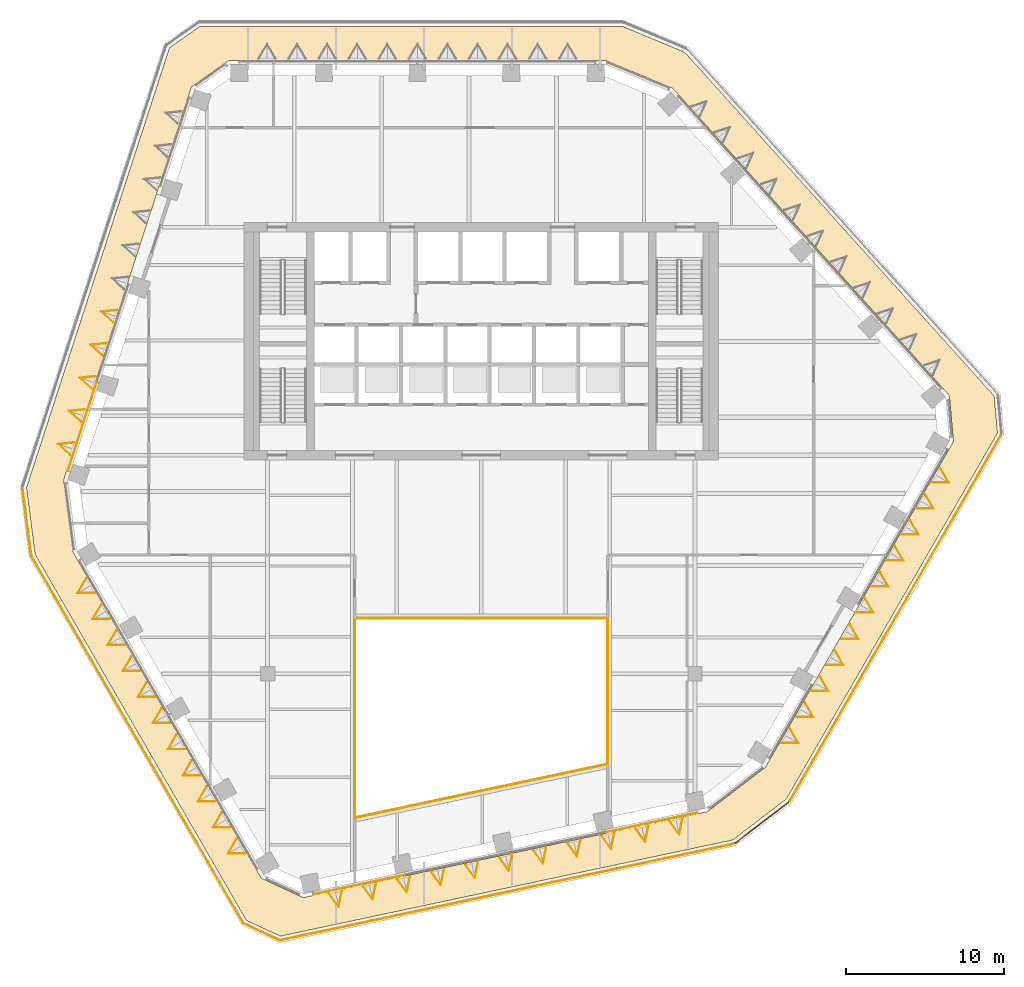
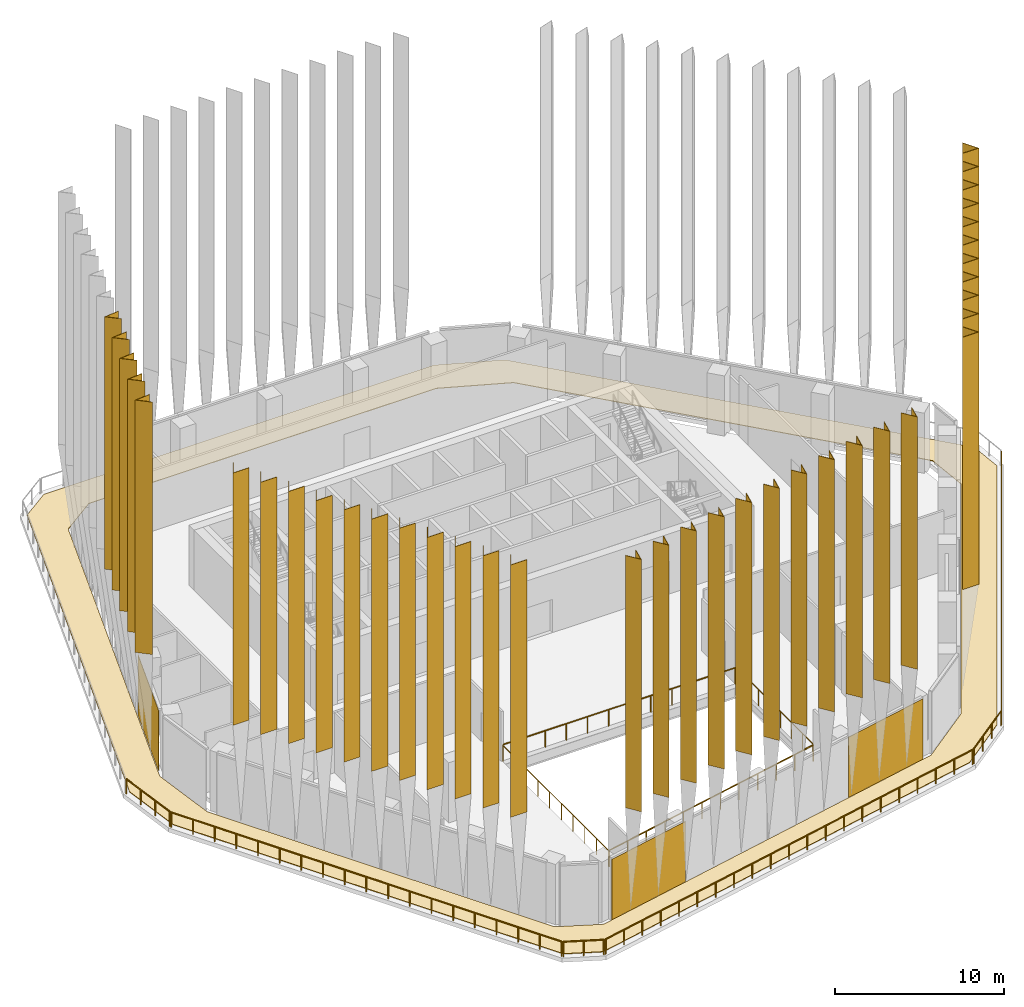
# One storey, part 13 of 21: 42 coverings, 10 railings, 2 elements without a shape of their own.
"""IFC4 building model written with IfcOpenShell, lengths in metres."""

import ifcopenshell
import ifcopenshell.guid

model = None  # the IFC model being written
_history = None  # IfcOwnerHistory: only IFC2X3 demands one
_inside = {}  # id of a spatial element -> (the spatial element, [elements in it])
_under = {}  # id of a project, library or spatial element -> (it, [spatial elements below it])
_declared = {}  # id of a project -> (the project, [libraries it declares])
_typed = {}  # id of a type object -> (the type object, [elements of that type])
_made_of = {}  # id of a material, layer set ... -> (it, [elements and type objects made of it])


def new_model(schema):
    """Start an empty IFC model of exactly this schema.

    Asked for "IFC4X3", IfcOpenShell would pick the latest addendum, in which some entities
    have other attributes; the version numbers below select the first issue.
    IFC2X3 requires an IfcOwnerHistory on every rooted entity: one is made here for all.
    """
    global model, _history
    if schema == "IFC4X3":
        model = ifcopenshell.file(schema_version=(4, 3, 0, 0))
    else:
        model = ifcopenshell.file(schema=schema)
    _inside.clear()
    _under.clear()
    _declared.clear()
    _typed.clear()
    _made_of.clear()
    _history = None
    if model.schema == "IFC2X3":
        org = make("IfcOrganization", Name="unknown")
        user = make(
            "IfcPersonAndOrganization",
            ThePerson=make("IfcPerson", FamilyName="unknown"),
            TheOrganization=org,
        )
        app = make(
            "IfcApplication",
            ApplicationDeveloper=org,
            Version="unknown",
            ApplicationFullName="unknown",
            ApplicationIdentifier="unknown",
        )
        _history = make(
            "IfcOwnerHistory",
            OwningUser=user,
            OwningApplication=app,
            ChangeAction="ADDED",
            CreationDate=0,
        )
    return model


def make(cls, **values):
    """One entity of the class cls with the attributes given. An attribute that is None is left unset."""
    return model.create_entity(
        cls, **{name: value for name, value in values.items() if value is not None}
    )


def rooted(cls, **values):
    """An entity with a GlobalId (a new one), such as an element, a storey or a relation."""
    return make(cls, GlobalId=ifcopenshell.guid.new(), OwnerHistory=_history, **values)


def si_unit(unit_type, name, prefix=None):
    """IfcSIUnit, for example si_unit("LENGTHUNIT", "METRE", prefix="MILLI")."""
    return make("IfcSIUnit", UnitType=unit_type, Prefix=prefix, Name=name)


def assignment(units):
    """IfcUnitAssignment: the units of a project."""
    return None if units is None else make("IfcUnitAssignment", Units=units)


def point(xyz):
    """IfcCartesianPoint."""
    return None if xyz is None else make("IfcCartesianPoint", Coordinates=xyz)


def direction(xyz):
    """IfcDirection."""
    return None if xyz is None else make("IfcDirection", DirectionRatios=xyz)


def frame(location, z_axis=None, x_axis=None):
    """IfcAxis2Placement3D, a coordinate frame: its origin and axes. An axis left out is left unset."""
    return make(
        "IfcAxis2Placement3D",
        Location=point(location),
        Axis=direction(z_axis),
        RefDirection=direction(x_axis),
    )


def frame_2d(location, x_axis=None):
    """IfcAxis2Placement2D, a coordinate frame in the plane: its origin and x axis."""
    return make(
        "IfcAxis2Placement2D", Location=point(location), RefDirection=direction(x_axis)
    )


def origin():
    """The frame at (0, 0, 0) with its axes left unset."""
    return frame((0.0, 0.0, 0.0))


def origin_2d():
    """The frame at (0, 0) in the plane with its x axis left unset."""
    return frame_2d((0.0, 0.0))


def place(relative_to, where):
    """IfcLocalPlacement: puts the frame where relative to a parent placement (None: the world)."""
    return make(
        "IfcLocalPlacement", PlacementRelTo=relative_to, RelativePlacement=where
    )


def context(
    kind, dimensions, precision=None, world=None, true_north=None, identifier=None
):
    """IfcGeometricRepresentationContext, for example the 3D "Model" context."""
    return make(
        "IfcGeometricRepresentationContext",
        ContextIdentifier=identifier,
        ContextType=kind,
        CoordinateSpaceDimension=dimensions,
        Precision=precision,
        WorldCoordinateSystem=world,
        TrueNorth=true_north,
    )


def subcontext(parent, identifier, kind, view, scale=None):
    """IfcGeometricRepresentationSubContext, for example "Body" below "Model"."""
    return make(
        "IfcGeometricRepresentationSubContext",
        ContextIdentifier=identifier,
        ContextType=kind,
        ParentContext=parent,
        TargetScale=scale,
        TargetView=view,
    )


def project(units=None, contexts=None):
    """IfcProject with its units and contexts."""
    return rooted(
        "IfcProject",
        Name="project",
        RepresentationContexts=contexts,
        UnitsInContext=assignment(units),
    )


def spatial(cls, under=None, at=None, **own):
    """A site, building, storey or space (cls), placed at a placement, below another one or the project."""
    s = rooted(cls, ObjectPlacement=at, **own)
    if under is not None:
        _under.setdefault(under.id(), (under, []))[1].append(s)
    return s


def polyline(points):
    """IfcPolyline through the points."""
    return make("IfcPolyline", Points=[point(p) for p in points])


def profile(cls, at=None, kind="AREA", **sizes):
    """A parametric profile (cls). Its sizes go by their IFC names, for example OverallWidth=200.0."""
    return make(cls, ProfileType=kind, Position=at, **sizes)


def rectangle(**sizes):
    """IfcRectangleProfileDef."""
    return profile("IfcRectangleProfileDef", **sizes)


def circle(**sizes):
    """IfcCircleProfileDef."""
    return profile("IfcCircleProfileDef", **sizes)


def outline(outer, holes=None, kind="AREA"):
    """IfcArbitraryClosedProfileDef: a profile drawn as a closed curve; with holes, ...WithVoids."""
    if holes is None:
        return make("IfcArbitraryClosedProfileDef", ProfileType=kind, OuterCurve=outer)
    return make(
        "IfcArbitraryProfileDefWithVoids",
        ProfileType=kind,
        OuterCurve=outer,
        InnerCurves=holes,
    )


def extrude(swept, where, along, depth):
    """IfcExtrudedAreaSolid: the profile swept, set in the frame where, extruded along a direction by depth."""
    return make(
        "IfcExtrudedAreaSolid",
        SweptArea=swept,
        Position=where,
        ExtrudedDirection=direction(along),
        Depth=depth,
    )


def shape(context_of_items, identifier, shape_type, items):
    """IfcShapeRepresentation: the items that make up one representation, for example the "Body"."""
    return make(
        "IfcShapeRepresentation",
        ContextOfItems=context_of_items,
        RepresentationIdentifier=identifier,
        RepresentationType=shape_type,
        Items=items,
    )


def material(Name=None, Category=None):
    """IfcMaterial."""
    return make("IfcMaterial", Name=Name, Category=Category)


def layer(
    of_material, thickness, ventilated=None, Name=None, Category=None, Priority=None
):
    """IfcMaterialLayer: one layer of a wall or slab, of a material (None: an air gap)."""
    return make(
        "IfcMaterialLayer",
        Material=of_material,
        LayerThickness=thickness,
        IsVentilated=ventilated,
        Name=Name,
        Category=Category,
        Priority=Priority,
    )


def layer_set(layers, Name=None):
    """IfcMaterialLayerSet."""
    return make("IfcMaterialLayerSet", MaterialLayers=layers, LayerSetName=Name)


def material_profile(
    of_material, cross_section, Name=None, Category=None, Priority=None
):
    """IfcMaterialProfile: a cross section and its material."""
    return make(
        "IfcMaterialProfile",
        Name=Name,
        Material=of_material,
        Profile=cross_section,
        Priority=Priority,
        Category=Category,
    )


def profile_set(profiles, Name=None, composite=None):
    """IfcMaterialProfileSet."""
    return make(
        "IfcMaterialProfileSet",
        Name=Name,
        MaterialProfiles=profiles,
        CompositeProfile=composite,
    )


def made_of(thing, what):
    """Note that an element or type object is made of a material, layer set ...; save() writes the relation."""
    if what is not None:
        _made_of.setdefault(what.id(), (what, []))[1].append(thing)
    return thing


def type_object(cls, material=None, **own):
    """A type object (cls), such as IfcWallType, which elements share."""
    return made_of(rooted(cls, **own), material)


def element(
    cls,
    number,
    at=None,
    inside=None,
    cuts=None,
    type_object=None,
    material=None,
    context=None,
    identifier="Body",
    shape_type=None,
    held_by="IfcProductDefinitionShape",
    body=None,
    shapes=None,
    **own,
):
    """One element of the class cls, such as IfcWall. Its Tag is "e" and its number.

    at: its placement. inside: the storey or other place that contains it. cuts: it is an
    opening in that element (IfcRelVoidsElement). A single representation is given by context,
    identifier, shape_type and body (its items); several are given by shapes. held_by: the class
    of the entity that holds the representations. save() writes the other relations.
    """
    e = rooted(cls, Tag="e%d" % number, ObjectPlacement=at, **own)
    if body is not None:
        shapes = [shape(context, identifier, shape_type, body)]
    if shapes is not None:
        e.Representation = make(held_by, Representations=shapes)
    if inside is not None:
        _inside.setdefault(inside.id(), (inside, []))[1].append(e)
    if cuts is not None:
        rooted(
            "IfcRelVoidsElement", RelatingBuildingElement=cuts, RelatedOpeningElement=e
        )
    if type_object is not None:
        _typed.setdefault(type_object.id(), (type_object, []))[1].append(e)
    return made_of(e, material)


def aggregate(whole, parts):
    """IfcRelAggregates: a whole, such as a stair, and the parts it consists of."""
    return rooted("IfcRelAggregates", RelatingObject=whole, RelatedObjects=parts)


def save(model, path):
    """Write the relations noted so far, then the file.

    IfcRelAggregates (storeys below a building ...), IfcRelContainedInSpatialStructure (elements
    in a storey), IfcRelDefinesByType, IfcRelAssociatesMaterial and IfcRelDeclares: one each for
    every whole, place, type object, material and project.
    """
    for whole, parts in _under.values():
        aggregate(whole, parts)
    for where, things in _inside.values():
        rooted(
            "IfcRelContainedInSpatialStructure",
            RelatedElements=things,
            RelatingStructure=where,
        )
    for kind, things in _typed.values():
        rooted("IfcRelDefinesByType", RelatedObjects=things, RelatingType=kind)
    for what, things in _made_of.values():
        rooted("IfcRelAssociatesMaterial", RelatedObjects=things, RelatingMaterial=what)
    for by, libraries in _declared.values():
        rooted("IfcRelDeclares", RelatingContext=by, RelatedDefinitions=libraries)
    model.write(path)


model = new_model("IFC4")

# Units and contexts
model_context = context("Model", 3, precision=1e-05, world=origin(), true_north=direction((0.0, 1.0)))
body_context = subcontext(model_context, "Body", "Model", "MODEL_VIEW")
ifc_project = project(units=[si_unit("LENGTHUNIT", "METRE"), si_unit("AREAUNIT", "SQUARE_METRE"), si_unit("VOLUMEUNIT", "CUBIC_METRE"), si_unit("PLANEANGLEUNIT", "RADIAN"), si_unit("MASSUNIT", "GRAM", prefix="KILO")], contexts=[model_context])

# Site, building, storey
site_placement = place(None, origin())
site = spatial("IfcSite", under=ifc_project, at=site_placement, CompositionType="ELEMENT")
building_placement = place(site_placement, origin())
building = spatial("IfcBuilding", under=site, at=building_placement, Name="Isthmus Gate Tower", CompositionType="ELEMENT")
storey_placement = place(building_placement, frame((0.0, 0.0, 211.800048828125)))
storey = spatial("IfcBuildingStorey", under=building, at=storey_placement, Name="L53", CompositionType="ELEMENT", Elevation=211.800048828125)

# Railings
ifc_material_1 = material(Name="Toughened laminated glass with stainless steel handrail", Category="steel")
railing_type_1 = type_object("IfcRailingType", Name="Atrium glass guard 1200", PredefinedType="GUARDRAIL", material=ifc_material_1)
railing_1_placement = place(storey_placement, frame((-7.951171875, -22.6005859375, 0.0)))
element("IfcRailing", 1, at=railing_1_placement, inside=storey, type_object=railing_type_1, Name="L53 atrium glass guard 1", PredefinedType="GUARDRAIL", context=body_context, shape_type="SweptSolid", body=[
    extrude(circle(Radius=0.030029296875, at=origin_2d()), frame((0.0, 0.0, 1.169921875), z_axis=(0.978150911752, 0.207896113091, 0.0), x_axis=(-0.207896113091, 0.978150911752, 0.0)), (0.0, 0.0, 1.0), 16.257568359375),
    extrude(circle(Radius=0.02490234375, at=origin_2d()), origin(), (0.0, 0.0, 1.0), 1.139892578125),
    extrude(circle(Radius=0.02490234375, at=origin_2d()), frame((1.445556640625, 0.307373046875, 0.0)), (0.0, 0.0, 1.0), 1.139892578125),
    extrude(circle(Radius=0.02490234375, at=origin_2d()), frame((2.891357421875, 0.614501953125, 0.0)), (0.0, 0.0, 1.0), 1.139892578125),
    extrude(circle(Radius=0.02490234375, at=origin_2d()), frame((4.3369140625, 0.921875, 0.0)), (0.0, 0.0, 1.0), 1.139892578125),
    extrude(circle(Radius=0.02490234375, at=origin_2d()), frame((5.78271484375, 1.22900390625, 0.0)), (0.0, 0.0, 1.0), 1.139892578125),
    extrude(circle(Radius=0.02490234375, at=origin_2d()), frame((7.228271484375, 1.536376953125, 0.0)), (0.0, 0.0, 1.0), 1.139892578125),
    extrude(circle(Radius=0.02490234375, at=origin_2d()), frame((8.674072265625, 1.843505859375, 0.0)), (0.0, 0.0, 1.0), 1.139892578125),
    extrude(circle(Radius=0.02490234375, at=origin_2d()), frame((10.11962890625, 2.15087890625, 0.0)), (0.0, 0.0, 1.0), 1.139892578125),
    extrude(circle(Radius=0.02490234375, at=origin_2d()), frame((11.5654296875, 2.4580078125, 0.0)), (0.0, 0.0, 1.0), 1.139892578125),
    extrude(circle(Radius=0.02490234375, at=origin_2d()), frame((13.010986328125, 2.765380859375, 0.0)), (0.0, 0.0, 1.0), 1.139892578125),
    extrude(circle(Radius=0.02490234375, at=origin_2d()), frame((14.456787109375, 3.072509765625, 0.0)), (0.0, 0.0, 1.0), 1.139892578125),
    extrude(circle(Radius=0.02490234375, at=origin_2d()), frame((15.90234375, 3.3798828125, 0.0)), (0.0, 0.0, 1.0), 1.139892578125),
])
railing_2_placement = place(storey_placement, frame((8.0, -19.16015625, 0.0)))
element("IfcRailing", 2, at=railing_2_placement, inside=storey, type_object=railing_type_1, Name="L53 atrium glass guard 2", PredefinedType="GUARDRAIL", context=body_context, shape_type="SweptSolid", body=[
    extrude(circle(Radius=0.030029296875, at=origin_2d()), frame((0.0, 0.0, 1.169921875), z_axis=(0.0, 1.0, 0.0), x_axis=(-1.0, 0.0, 0.0)), (0.0, 0.0, 1.0), 9.110107421875),
    extrude(circle(Radius=0.02490234375, at=origin_2d()), origin(), (0.0, 0.0, 1.0), 1.139892578125),
    extrude(circle(Radius=0.02490234375, at=origin_2d()), frame((0.0, 1.301513671875, 0.0)), (0.0, 0.0, 1.0), 1.139892578125),
    extrude(circle(Radius=0.02490234375, at=origin_2d()), frame((0.0, 2.602783203125, 0.0)), (0.0, 0.0, 1.0), 1.139892578125),
    extrude(circle(Radius=0.02490234375, at=origin_2d()), frame((0.0, 3.904296875, 0.0)), (0.0, 0.0, 1.0), 1.139892578125),
    extrude(circle(Radius=0.02490234375, at=origin_2d()), frame((0.0, 5.205810546875, 0.0)), (0.0, 0.0, 1.0), 1.139892578125),
    extrude(circle(Radius=0.02490234375, at=origin_2d()), frame((0.0, 6.50732421875, 0.0)), (0.0, 0.0, 1.0), 1.139892578125),
    extrude(circle(Radius=0.02490234375, at=origin_2d()), frame((0.0, 7.80859375, 0.0)), (0.0, 0.0, 1.0), 1.139892578125),
    extrude(circle(Radius=0.02490234375, at=origin_2d()), frame((0.0, 9.110107421875, 0.0)), (0.0, 0.0, 1.0), 1.139892578125),
])
railing_3_placement = place(storey_placement, frame((7.949951171875, -10.0, 0.0)))
element("IfcRailing", 3, at=railing_3_placement, inside=storey, type_object=railing_type_1, Name="L53 atrium glass guard 3", PredefinedType="GUARDRAIL", context=body_context, shape_type="SweptSolid", body=[
    extrude(circle(Radius=0.030029296875, at=origin_2d()), frame((0.0, 0.0, 1.169921875), z_axis=(-1.0, 0.0, 0.0), x_axis=(0.0, -1.0, 0.0)), (0.0, 0.0, 1.0), 15.89990234375),
    extrude(circle(Radius=0.02490234375, at=origin_2d()), origin(), (0.0, 0.0, 1.0), 1.139892578125),
    extrude(circle(Radius=0.02490234375, at=origin_2d()), frame((-1.445556640625, 0.0, 0.0)), (0.0, 0.0, 1.0), 1.139892578125),
    extrude(circle(Radius=0.02490234375, at=origin_2d()), frame((-2.890869140625, 0.0, 0.0)), (0.0, 0.0, 1.0), 1.139892578125),
    extrude(circle(Radius=0.02490234375, at=origin_2d()), frame((-4.33642578125, 0.0, 0.0)), (0.0, 0.0, 1.0), 1.139892578125),
    extrude(circle(Radius=0.02490234375, at=origin_2d()), frame((-5.78173828125, 0.0, 0.0)), (0.0, 0.0, 1.0), 1.139892578125),
    extrude(circle(Radius=0.02490234375, at=origin_2d()), frame((-7.227294921875, 0.0, 0.0)), (0.0, 0.0, 1.0), 1.139892578125),
    extrude(circle(Radius=0.02490234375, at=origin_2d()), frame((-8.672607421875, 0.0, 0.0)), (0.0, 0.0, 1.0), 1.139892578125),
    extrude(circle(Radius=0.02490234375, at=origin_2d()), frame((-10.1181640625, 0.0, 0.0)), (0.0, 0.0, 1.0), 1.139892578125),
    extrude(circle(Radius=0.02490234375, at=origin_2d()), frame((-11.5634765625, 0.0, 0.0)), (0.0, 0.0, 1.0), 1.139892578125),
    extrude(circle(Radius=0.02490234375, at=origin_2d()), frame((-13.009033203125, 0.0, 0.0)), (0.0, 0.0, 1.0), 1.139892578125),
    extrude(circle(Radius=0.02490234375, at=origin_2d()), frame((-14.454345703125, 0.0, 0.0)), (0.0, 0.0, 1.0), 1.139892578125),
    extrude(circle(Radius=0.02490234375, at=origin_2d()), frame((-15.89990234375, 0.0, 0.0)), (0.0, 0.0, 1.0), 1.139892578125),
])
railing_4_placement = place(storey_placement, frame((-8.0, -10.050048828125, 0.0)))
element("IfcRailing", 4, at=railing_4_placement, inside=storey, type_object=railing_type_1, Name="L53 atrium glass guard 4", PredefinedType="GUARDRAIL", context=body_context, shape_type="SweptSolid", body=[
    extrude(circle(Radius=0.030029296875, at=origin_2d()), frame((0.0, 0.0, 1.169921875), z_axis=(0.0, -1.0, 0.0), x_axis=(1.0, 0.0, 0.0)), (0.0, 0.0, 1.0), 12.510986328125),
    extrude(circle(Radius=0.02490234375, at=origin_2d()), origin(), (0.0, 0.0, 1.0), 1.139892578125),
    extrude(circle(Radius=0.02490234375, at=origin_2d()), frame((0.0, -1.39013671875, 0.0)), (0.0, 0.0, 1.0), 1.139892578125),
    extrude(circle(Radius=0.02490234375, at=origin_2d()), frame((0.0, -2.7802734375, 0.0)), (0.0, 0.0, 1.0), 1.139892578125),
    extrude(circle(Radius=0.02490234375, at=origin_2d()), frame((0.0, -4.17041015625, 0.0)), (0.0, 0.0, 1.0), 1.139892578125),
    extrude(circle(Radius=0.02490234375, at=origin_2d()), frame((0.0, -5.560546875, 0.0)), (0.0, 0.0, 1.0), 1.139892578125),
    extrude(circle(Radius=0.02490234375, at=origin_2d()), frame((0.0, -6.950439453125, 0.0)), (0.0, 0.0, 1.0), 1.139892578125),
    extrude(circle(Radius=0.02490234375, at=origin_2d()), frame((0.0, -8.340576171875, 0.0)), (0.0, 0.0, 1.0), 1.139892578125),
    extrude(circle(Radius=0.02490234375, at=origin_2d()), frame((0.0, -9.730712890625, 0.0)), (0.0, 0.0, 1.0), 1.139892578125),
    extrude(circle(Radius=0.02490234375, at=origin_2d()), frame((0.0, -11.120849609375, 0.0)), (0.0, 0.0, 1.0), 1.139892578125),
    extrude(circle(Radius=0.02490234375, at=origin_2d()), frame((0.0, -12.510986328125, 0.0)), (0.0, 0.0, 1.0), 1.139892578125),
])

# Curtain wall, covering
ifc_material_2 = material(Name="Aluminium, pale champagne anodised", Category="aluminium")
ifc_layer_1 = layer(ifc_material_2, 0.199951171875)
ifc_layer_set_1 = layer_set([ifc_layer_1], Name="CW-1 UNITISED CURTAIN WALL 200 DEEP")
curtain_wall_type = type_object("IfcCurtainWallType", Name="CW-1 UNITISED CURTAIN WALL 200 DEEP", PredefinedType="NOTDEFINED", material=ifc_layer_set_1)
curtain_wall_1_placement = place(storey_placement, origin())
curtain_wall_1 = element("IfcCurtainWall", 5, at=curtain_wall_1_placement, inside=storey, type_object=curtain_wall_type, Name="CW-1 NW L53", PredefinedType="NOTDEFINED")
ifc_material_3 = material(Name="Aluminium composite panel, pale champagne anodised", Category="aluminium")
ifc_layer_2 = layer(ifc_material_3, 0.031982421875)
ifc_layer_set_2 = layer_set([ifc_layer_2], Name="CW-1 PALE METAL PANEL 32")
covering_type_1 = type_object("IfcCoveringType", Name="CW-1 PALE METAL PANEL 32", PredefinedType="CLADDING", material=ifc_layer_set_2)
covering_1_placement = place(storey_placement, frame((-25.224853515625, 2.09521484375, 0.0), z_axis=(0.0, 0.0, 1.0), x_axis=(-0.309016994375, -0.951056516295, 0.0)))
covering_1 = element("IfcCovering", 6, at=covering_1_placement, type_object=covering_type_1, Name="CW-1 pale metal panel", PredefinedType="CLADDING", context=body_context, shape_type="SweptSolid", body=[
    extrude(rectangle(XDim=5.8818359375, YDim=0.031982421875, at=origin_2d()), origin(), (0.0, 0.0, 1.0), 4.3701171875),
])
aggregate(curtain_wall_1, [covering_1])

# Curtain wall, coverings
curtain_wall_2_placement = place(storey_placement, origin())
curtain_wall_2 = element("IfcCurtainWall", 7, at=curtain_wall_2_placement, inside=storey, type_object=curtain_wall_type, Name="CW-1 S L53", PredefinedType="NOTDEFINED")
covering_2_placement = place(storey_placement, frame((-7.71435546875, -26.827880859375, 0.0), z_axis=(0.0, 0.0, 1.0), x_axis=(0.978147600734, 0.207911690818, 0.0)))
covering_2 = element("IfcCovering", 8, at=covering_2_placement, type_object=covering_type_1, Name="CW-1 pale metal panel", PredefinedType="CLADDING", context=body_context, shape_type="SweptSolid", body=[
    extrude(rectangle(XDim=5.8818359375, YDim=0.031982421875, at=origin_2d()), origin(), (0.0, 0.0, 1.0), 4.3701171875),
])
covering_3_placement = place(storey_placement, frame((10.7685546875, -22.899169921875, 0.0), z_axis=(0.0, 0.0, 1.0), x_axis=(0.978147600734, 0.207911690818, 0.0)))
covering_3 = element("IfcCovering", 9, at=covering_3_placement, type_object=covering_type_1, Name="CW-1 pale metal panel", PredefinedType="CLADDING", context=body_context, shape_type="SweptSolid", body=[
    extrude(rectangle(XDim=5.94189453125, YDim=0.031982421875, at=origin_2d()), origin(), (0.0, 0.0, 1.0), 4.3701171875),
])
aggregate(curtain_wall_2, [covering_2, covering_3])

# Coverings
ifc_material_4 = material(Name="Structural steel ASTM A572 Gr 50, white paint system", Category="steel")
ifc_material_profile_1 = material_profile(ifc_material_4, outline(polyline([(0.0, -0.427490234375), (0.9599609375, 0.0), (0.0, 0.427490234375), (0.0, 0.39453125), (0.88623046875, 0.0), (0.0, -0.39453125), (0.0, -0.427490234375)])), Name="V960")
ifc_profile_set_1 = profile_set([ifc_material_profile_1], Name="Structural steel ASTM A572 Gr 50, white paint system")
covering_type_2 = type_object("IfcCoveringType", Name="FIN V 960 DEEP", PredefinedType="CLADDING", material=ifc_profile_set_1)
for number, where, z_axis, x_axis, name in (
    (10, (-23.129150390625, 9.08251953125, 7.75), (0.0, 0.0, 1.0), (-0.951056516295, 0.309016994375, 0.0), "FIN"),
    (11, (-23.808837890625, 6.990234375, 7.75), (0.0, 0.0, 1.0), (-0.951056516295, 0.309016994375, 0.0), "FIN"),
    (12, (-24.48876953125, 4.89794921875, 7.75), (0.0, 0.0, 1.0), (-0.951056516295, 0.309016994375, 0.0), "FIN"),
    (13, (-25.16845703125, 2.805419921875, 7.75), (0.0, 0.0, 1.0), (-0.951056516295, 0.309016994375, 0.0), "FIN"),
    (14, (-25.848388671875, 0.713134765625, 7.75), (0.0, 0.0, 1.0), (-0.951056516295, 0.309016994375, 0.0), "FIN"),
    (15, (-9.212646484375, -27.31591796875, 7.75), (0.0, 0.0, 1.0), (0.207911690818, -0.978147600734, 0.0), "FIN"),
    (16, (-7.060791015625, -26.858642578125, 7.75), (0.0, 0.0, 1.0), (0.207911690818, -0.978147600734, 0.0), "FIN"),
    (17, (-4.908935546875, -26.401123046875, 7.75), (0.0, 0.0, 1.0), (0.207911690818, -0.978147600734, 0.0), "FIN"),
    (18, (-2.7568359375, -25.94384765625, 7.75), (0.0, 0.0, 1.0), (0.207911690818, -0.978147600734, 0.0), "FIN"),
    (19, (-0.60498046875, -25.486328125, 7.75), (0.0, 0.0, 1.0), (0.207911690818, -0.978147600734, 0.0), "FIN"),
    (20, (1.546875, -25.029052734375, 7.75), (0.0, 0.0, 1.0), (0.207911690818, -0.978147600734, 0.0), "FIN"),
    (21, (3.698974609375, -24.571533203125, 7.75), (0.0, 0.0, 1.0), (0.207911690818, -0.978147600734, 0.0), "FIN"),
    (22, (5.850830078125, -24.1142578125, 7.75), (0.0, 0.0, 1.0), (0.207911690818, -0.978147600734, 0.0), "FIN"),
    (23, (8.002685546875, -23.65673828125, 7.75), (0.0, 0.0, 1.0), (0.207911690818, -0.978147600734, 0.0), "FIN"),
    (24, (10.154541015625, -23.199462890625, 7.75), (0.0, 0.0, 1.0), (0.207911690818, -0.978147600734, 0.0), "FIN"),
    (25, (12.306640625, -22.741943359375, 7.75), (0.0, 0.0, 1.0), (0.207911690818, -0.978147600734, 0.0), "FIN"),
):
    element("IfcCovering", number, at=place(storey_placement, frame(where, z_axis=z_axis, x_axis=x_axis)), inside=storey, type_object=covering_type_2, Name=name, ObjectType="FIN", PredefinedType="CLADDING", context=body_context, shape_type="SweptSolid", body=[
        extrude(outline(polyline([(0.0, -0.427490234375), (0.9599609375, 0.0), (0.0, 0.427490234375), (0.0, 0.39453125), (0.88623046875, 0.0), (0.0, -0.39453125), (0.0, -0.427490234375)])), origin(), (0.0, 0.0, 1.0), 18.25),
    ])
ifc_material_5 = material(Name="Structural steel ASTM A572 Gr 50, white paint system", Category="steel")
ifc_material_profile_2 = material_profile(ifc_material_5, outline(polyline([(0.0, -0.55419921875), (0.9599609375, 0.0), (0.0, 0.55419921875), (0.0, 0.51953125), (0.89990234375, 0.0), (0.0, -0.51953125), (0.0, -0.55419921875)])), Name="V960W")
ifc_profile_set_2 = profile_set([ifc_material_profile_2], Name="Structural steel ASTM A572 Gr 50, white paint system")
covering_type_3 = type_object("IfcCoveringType", Name="FIN V 960 DEEP WIDE", PredefinedType="CLADDING", material=ifc_profile_set_2)
for number, where, z_axis, x_axis, name in (
    (26, (-24.688720703125, -7.93798828125, 7.75), (0.0, 0.0, 1.0), (-0.866025403784, -0.5, 0.0), "FIN"),
    (27, (-23.73876953125, -9.583251953125, 7.75), (0.0, 0.0, 1.0), (-0.866025403784, -0.5, 0.0), "FIN"),
    (28, (-22.788818359375, -11.228759765625, 7.75), (0.0, 0.0, 1.0), (-0.866025403784, -0.5, 0.0), "FIN"),
    (29, (-21.838623046875, -12.874267578125, 7.75), (0.0, 0.0, 1.0), (-0.866025403784, -0.5, 0.0), "FIN"),
    (30, (-20.888671875, -14.519775390625, 7.75), (0.0, 0.0, 1.0), (-0.866025403784, -0.5, 0.0), "FIN"),
    (31, (-19.938720703125, -16.1650390625, 7.75), (0.0, 0.0, 1.0), (-0.866025403784, -0.5, 0.0), "FIN"),
    (32, (-18.98876953125, -17.810546875, 7.75), (0.0, 0.0, 1.0), (-0.866025403784, -0.5, 0.0), "FIN"),
    (33, (-18.038818359375, -19.4560546875, 7.75), (0.0, 0.0, 1.0), (-0.866025403784, -0.5, 0.0), "FIN"),
    (34, (-17.088623046875, -21.1015625, 7.75), (0.0, 0.0, 1.0), (-0.866025403784, -0.5, 0.0), "FIN"),
    (35, (-16.138671875, -22.7470703125, 7.75), (0.0, 0.0, 1.0), (-0.866025403784, -0.5, 0.0), "FIN"),
    (36, (-15.188720703125, -24.392333984375, 7.75), (0.0, 0.0, 1.0), (-0.866025403784, -0.5, 0.0), "FIN"),
    (37, (19.21875, -17.412109375, 7.75), (0.0, 0.0, 1.0), (0.866025403784, -0.5, 0.0), "FIN"),
    (38, (20.168701171875, -15.7666015625, 7.75), (0.0, 0.0, 1.0), (0.866025403784, -0.5, 0.0), "FIN"),
    (39, (21.118896484375, -14.12109375, 7.75), (0.0, 0.0, 1.0), (0.866025403784, -0.5, 0.0), "FIN"),
    (40, (22.06884765625, -12.475830078125, 7.75), (0.0, 0.0, 1.0), (0.866025403784, -0.5, 0.0), "FIN"),
    (41, (23.018798828125, -10.830322265625, 7.75), (0.0, 0.0, 1.0), (0.866025403784, -0.5, 0.0), "FIN"),
    (42, (23.96875, -9.184814453125, 7.75), (0.0, 0.0, 1.0), (0.866025403784, -0.5, 0.0), "FIN"),
    (43, (24.918701171875, -7.539306640625, 7.75), (0.0, 0.0, 1.0), (0.866025403784, -0.5, 0.0), "FIN"),
    (44, (25.868896484375, -5.89404296875, 7.75), (0.0, 0.0, 1.0), (0.866025403784, -0.5, 0.0), "FIN"),
    (45, (26.81884765625, -4.24853515625, 7.75), (0.0, 0.0, 1.0), (0.866025403784, -0.5, 0.0), "FIN"),
    (46, (27.768798828125, -2.60302734375, 7.75), (0.0, 0.0, 1.0), (0.866025403784, -0.5, 0.0), "FIN"),
    (47, (28.71875, -0.95751953125, 7.75), (0.0, 0.0, 1.0), (0.866025403784, -0.5, 0.0), "FIN"),
):
    element("IfcCovering", number, at=place(storey_placement, frame(where, z_axis=z_axis, x_axis=x_axis)), inside=storey, type_object=covering_type_3, Name=name, ObjectType="FIN", PredefinedType="CLADDING", context=body_context, shape_type="SweptSolid", body=[
        extrude(outline(polyline([(0.0, -0.55419921875), (0.9599609375, 0.0), (0.0, 0.55419921875), (0.0, 0.51953125), (0.89990234375, 0.0), (0.0, -0.51953125), (0.0, -0.55419921875)])), origin(), (0.0, 0.0, 1.0), 18.25),
    ])

# Railings
ifc_material_6 = material(Name="Stainless steel posts and toughened laminated glass", Category="steel")
railing_type_2 = type_object("IfcRailingType", Name="GUARD 1100 LEDGE GLASS", PredefinedType="GUARDRAIL", material=ifc_material_6)
railing_5_placement = place(storey_placement, frame((32.84130859375, 1.58251953125, 0.0)))
element("IfcRailing", 48, at=railing_5_placement, inside=storey, type_object=railing_type_2, Name="LEDGE GUARD", PredefinedType="GUARDRAIL", context=body_context, shape_type="SweptSolid", body=[
    extrude(circle(Radius=0.02490234375, at=origin_2d()), frame((0.0, 0.0, 1.0751953125), z_axis=(-0.500007927794, -0.866020826622, 0.0), x_axis=(0.866020826622, -0.500007927794, 0.0)), (0.0, 0.0, 1.0), 26.69970703125),
    extrude(circle(Radius=0.02490234375, at=origin_2d()), origin(), (0.0, 0.0, 1.0), 1.050048828125),
    extrude(circle(Radius=0.02490234375, at=origin_2d()), frame((-0.74169921875, -1.28466796875, 0.0)), (0.0, 0.0, 1.0), 1.050048828125),
    extrude(circle(Radius=0.02490234375, at=origin_2d()), frame((-1.4833984375, -2.569091796875, 0.0)), (0.0, 0.0, 1.0), 1.050048828125),
    extrude(circle(Radius=0.02490234375, at=origin_2d()), frame((-2.22509765625, -3.853759765625, 0.0)), (0.0, 0.0, 1.0), 1.050048828125),
    extrude(circle(Radius=0.02490234375, at=origin_2d()), frame((-2.966796875, -5.138427734375, 0.0)), (0.0, 0.0, 1.0), 1.050048828125),
    extrude(circle(Radius=0.02490234375, at=origin_2d()), frame((-3.708251953125, -6.4228515625, 0.0)), (0.0, 0.0, 1.0), 1.050048828125),
    extrude(circle(Radius=0.02490234375, at=origin_2d()), frame((-4.449951171875, -7.70751953125, 0.0)), (0.0, 0.0, 1.0), 1.050048828125),
    extrude(circle(Radius=0.02490234375, at=origin_2d()), frame((-5.191650390625, -8.9921875, 0.0)), (0.0, 0.0, 1.0), 1.050048828125),
    extrude(circle(Radius=0.02490234375, at=origin_2d()), frame((-5.933349609375, -10.276611328125, 0.0)), (0.0, 0.0, 1.0), 1.050048828125),
    extrude(circle(Radius=0.02490234375, at=origin_2d()), frame((-6.675048828125, -11.561279296875, 0.0)), (0.0, 0.0, 1.0), 1.050048828125),
    extrude(circle(Radius=0.02490234375, at=origin_2d()), frame((-7.416748046875, -12.845947265625, 0.0)), (0.0, 0.0, 1.0), 1.050048828125),
    extrude(circle(Radius=0.02490234375, at=origin_2d()), frame((-8.158447265625, -14.13037109375, 0.0)), (0.0, 0.0, 1.0), 1.050048828125),
    extrude(circle(Radius=0.02490234375, at=origin_2d()), frame((-8.900146484375, -15.4150390625, 0.0)), (0.0, 0.0, 1.0), 1.050048828125),
    extrude(circle(Radius=0.02490234375, at=origin_2d()), frame((-9.641845703125, -16.69970703125, 0.0)), (0.0, 0.0, 1.0), 1.050048828125),
    extrude(circle(Radius=0.02490234375, at=origin_2d()), frame((-10.38330078125, -17.984130859375, 0.0)), (0.0, 0.0, 1.0), 1.050048828125),
    extrude(circle(Radius=0.02490234375, at=origin_2d()), frame((-11.125, -19.268798828125, 0.0)), (0.0, 0.0, 1.0), 1.050048828125),
    extrude(circle(Radius=0.02490234375, at=origin_2d()), frame((-11.86669921875, -20.553466796875, 0.0)), (0.0, 0.0, 1.0), 1.050048828125),
    extrude(circle(Radius=0.02490234375, at=origin_2d()), frame((-12.6083984375, -21.837890625, 0.0)), (0.0, 0.0, 1.0), 1.050048828125),
    extrude(circle(Radius=0.02490234375, at=origin_2d()), frame((-13.35009765625, -23.12255859375, 0.0)), (0.0, 0.0, 1.0), 1.050048828125),
])
railing_6_placement = place(storey_placement, frame((19.41357421875, -21.628662109375, 0.0)))
element("IfcRailing", 49, at=railing_6_placement, inside=storey, type_object=railing_type_2, Name="LEDGE GUARD", PredefinedType="GUARDRAIL", context=body_context, shape_type="SweptSolid", body=[
    extrude(circle(Radius=0.02490234375, at=origin_2d()), frame((0.0, 0.0, 1.0751953125), z_axis=(-0.794207445663, -0.607646717471, 0.0), x_axis=(0.607646717471, -0.794207445663, 0.0)), (0.0, 0.0, 1.0), 4.239990234375),
    extrude(circle(Radius=0.02490234375, at=origin_2d()), origin(), (0.0, 0.0, 1.0), 1.050048828125),
    extrude(circle(Radius=0.02490234375, at=origin_2d()), frame((-1.12255859375, -0.85888671875, 0.0)), (0.0, 0.0, 1.0), 1.050048828125),
    extrude(circle(Radius=0.02490234375, at=origin_2d()), frame((-2.244873046875, -1.717529296875, 0.0)), (0.0, 0.0, 1.0), 1.050048828125),
    extrude(circle(Radius=0.02490234375, at=origin_2d()), frame((-3.367431640625, -2.576416015625, 0.0)), (0.0, 0.0, 1.0), 1.050048828125),
])
railing_7_placement = place(storey_placement, frame((15.93994140625, -24.254150390625, 0.0)))
element("IfcRailing", 50, at=railing_7_placement, inside=storey, type_object=railing_type_2, Name="LEDGE GUARD", PredefinedType="GUARDRAIL", context=body_context, shape_type="SweptSolid", body=[
    extrude(circle(Radius=0.02490234375, at=origin_2d()), frame((0.0, 0.0, 1.0751953125), z_axis=(-0.978148242245, -0.207908672722, 0.0), x_axis=(0.207908672722, -0.978148242245, 0.0)), (0.0, 0.0, 1.0), 29.24755859375),
    extrude(circle(Radius=0.02490234375, at=origin_2d()), origin(), (0.0, 0.0, 1.0), 1.050048828125),
    extrude(circle(Radius=0.02490234375, at=origin_2d()), frame((-1.430419921875, -0.303955078125, 0.0)), (0.0, 0.0, 1.0), 1.050048828125),
    extrude(circle(Radius=0.02490234375, at=origin_2d()), frame((-2.86083984375, -0.608154296875, 0.0)), (0.0, 0.0, 1.0), 1.050048828125),
    extrude(circle(Radius=0.02490234375, at=origin_2d()), frame((-4.291259765625, -0.912109375, 0.0)), (0.0, 0.0, 1.0), 1.050048828125),
    extrude(circle(Radius=0.02490234375, at=origin_2d()), frame((-5.7216796875, -1.216064453125, 0.0)), (0.0, 0.0, 1.0), 1.050048828125),
    extrude(circle(Radius=0.02490234375, at=origin_2d()), frame((-7.152099609375, -1.520263671875, 0.0)), (0.0, 0.0, 1.0), 1.050048828125),
    extrude(circle(Radius=0.02490234375, at=origin_2d()), frame((-8.58251953125, -1.82421875, 0.0)), (0.0, 0.0, 1.0), 1.050048828125),
    extrude(circle(Radius=0.02490234375, at=origin_2d()), frame((-10.012939453125, -2.128173828125, 0.0)), (0.0, 0.0, 1.0), 1.050048828125),
    extrude(circle(Radius=0.02490234375, at=origin_2d()), frame((-11.443359375, -2.432373046875, 0.0)), (0.0, 0.0, 1.0), 1.050048828125),
    extrude(circle(Radius=0.02490234375, at=origin_2d()), frame((-12.873779296875, -2.736328125, 0.0)), (0.0, 0.0, 1.0), 1.050048828125),
    extrude(circle(Radius=0.02490234375, at=origin_2d()), frame((-14.30419921875, -3.04052734375, 0.0)), (0.0, 0.0, 1.0), 1.050048828125),
    extrude(circle(Radius=0.02490234375, at=origin_2d()), frame((-15.734619140625, -3.344482421875, 0.0)), (0.0, 0.0, 1.0), 1.050048828125),
    extrude(circle(Radius=0.02490234375, at=origin_2d()), frame((-17.1650390625, -3.6484375, 0.0)), (0.0, 0.0, 1.0), 1.050048828125),
    extrude(circle(Radius=0.02490234375, at=origin_2d()), frame((-18.595458984375, -3.95263671875, 0.0)), (0.0, 0.0, 1.0), 1.050048828125),
    extrude(circle(Radius=0.02490234375, at=origin_2d()), frame((-20.02587890625, -4.256591796875, 0.0)), (0.0, 0.0, 1.0), 1.050048828125),
    extrude(circle(Radius=0.02490234375, at=origin_2d()), frame((-21.456298828125, -4.560546875, 0.0)), (0.0, 0.0, 1.0), 1.050048828125),
    extrude(circle(Radius=0.02490234375, at=origin_2d()), frame((-22.88671875, -4.86474609375, 0.0)), (0.0, 0.0, 1.0), 1.050048828125),
    extrude(circle(Radius=0.02490234375, at=origin_2d()), frame((-24.317138671875, -5.168701171875, 0.0)), (0.0, 0.0, 1.0), 1.050048828125),
    extrude(circle(Radius=0.02490234375, at=origin_2d()), frame((-25.74755859375, -5.47265625, 0.0)), (0.0, 0.0, 1.0), 1.050048828125),
    extrude(circle(Radius=0.02490234375, at=origin_2d()), frame((-27.177978515625, -5.77685546875, 0.0)), (0.0, 0.0, 1.0), 1.050048828125),
    extrude(circle(Radius=0.02490234375, at=origin_2d()), frame((-28.6083984375, -6.080810546875, 0.0)), (0.0, 0.0, 1.0), 1.050048828125),
])
railing_8_placement = place(storey_placement, frame((-12.78173828125, -30.322265625, 0.0)))
element("IfcRailing", 51, at=railing_8_placement, inside=storey, type_object=railing_type_2, Name="LEDGE GUARD", PredefinedType="GUARDRAIL", context=body_context, shape_type="SweptSolid", body=[
    extrude(circle(Radius=0.02490234375, at=origin_2d()), frame((0.0, 0.0, 1.0751953125), z_axis=(-0.907242647188, 0.420607630843, 0.0), x_axis=(-0.420607630843, -0.907242647188, 0.0)), (0.0, 0.0, 1.0), 2.4072265625),
    extrude(circle(Radius=0.02490234375, at=origin_2d()), origin(), (0.0, 0.0, 1.0), 1.050048828125),
    extrude(circle(Radius=0.02490234375, at=origin_2d()), frame((-1.091796875, 0.50634765625, 0.0)), (0.0, 0.0, 1.0), 1.050048828125),
    extrude(circle(Radius=0.02490234375, at=origin_2d()), frame((-2.183837890625, 1.012451171875, 0.0)), (0.0, 0.0, 1.0), 1.050048828125),
])
railing_9_placement = place(storey_placement, frame((-15.050048828125, -29.232666015625, 0.0)))
element("IfcRailing", 52, at=railing_9_placement, inside=storey, type_object=railing_type_2, Name="LEDGE GUARD", PredefinedType="GUARDRAIL", context=body_context, shape_type="SweptSolid", body=[
    extrude(circle(Radius=0.02490234375, at=origin_2d()), frame((0.0, 0.0, 1.0751953125), z_axis=(-0.499997110446, 0.866027072063, 0.0), x_axis=(-0.866027072063, -0.499997110446, 0.0)), (0.0, 0.0, 1.0), 26.699951171875),
    extrude(circle(Radius=0.02490234375, at=origin_2d()), origin(), (0.0, 0.0, 1.0), 1.050048828125),
    extrude(circle(Radius=0.02490234375, at=origin_2d()), frame((-0.74169921875, 1.28466796875, 0.0)), (0.0, 0.0, 1.0), 1.050048828125),
    extrude(circle(Radius=0.02490234375, at=origin_2d()), frame((-1.4833984375, 2.569091796875, 0.0)), (0.0, 0.0, 1.0), 1.050048828125),
    extrude(circle(Radius=0.02490234375, at=origin_2d()), frame((-2.22509765625, 3.853759765625, 0.0)), (0.0, 0.0, 1.0), 1.050048828125),
    extrude(circle(Radius=0.02490234375, at=origin_2d()), frame((-2.966552734375, 5.138427734375, 0.0)), (0.0, 0.0, 1.0), 1.050048828125),
    extrude(circle(Radius=0.02490234375, at=origin_2d()), frame((-3.708251953125, 6.423095703125, 0.0)), (0.0, 0.0, 1.0), 1.050048828125),
    extrude(circle(Radius=0.02490234375, at=origin_2d()), frame((-4.449951171875, 7.70751953125, 0.0)), (0.0, 0.0, 1.0), 1.050048828125),
    extrude(circle(Radius=0.02490234375, at=origin_2d()), frame((-5.191650390625, 8.9921875, 0.0)), (0.0, 0.0, 1.0), 1.050048828125),
    extrude(circle(Radius=0.02490234375, at=origin_2d()), frame((-5.933349609375, 10.27685546875, 0.0)), (0.0, 0.0, 1.0), 1.050048828125),
    extrude(circle(Radius=0.02490234375, at=origin_2d()), frame((-6.6748046875, 11.5615234375, 0.0)), (0.0, 0.0, 1.0), 1.050048828125),
    extrude(circle(Radius=0.02490234375, at=origin_2d()), frame((-7.41650390625, 12.845947265625, 0.0)), (0.0, 0.0, 1.0), 1.050048828125),
    extrude(circle(Radius=0.02490234375, at=origin_2d()), frame((-8.158203125, 14.130615234375, 0.0)), (0.0, 0.0, 1.0), 1.050048828125),
    extrude(circle(Radius=0.02490234375, at=origin_2d()), frame((-8.89990234375, 15.415283203125, 0.0)), (0.0, 0.0, 1.0), 1.050048828125),
    extrude(circle(Radius=0.02490234375, at=origin_2d()), frame((-9.6416015625, 16.69970703125, 0.0)), (0.0, 0.0, 1.0), 1.050048828125),
    extrude(circle(Radius=0.02490234375, at=origin_2d()), frame((-10.38330078125, 17.984375, 0.0)), (0.0, 0.0, 1.0), 1.050048828125),
    extrude(circle(Radius=0.02490234375, at=origin_2d()), frame((-11.125, 19.26904296875, 0.0)), (0.0, 0.0, 1.0), 1.050048828125),
    extrude(circle(Radius=0.02490234375, at=origin_2d()), frame((-11.866455078125, 20.5537109375, 0.0)), (0.0, 0.0, 1.0), 1.050048828125),
    extrude(circle(Radius=0.02490234375, at=origin_2d()), frame((-12.608154296875, 21.838134765625, 0.0)), (0.0, 0.0, 1.0), 1.050048828125),
    extrude(circle(Radius=0.02490234375, at=origin_2d()), frame((-13.349853515625, 23.122802734375, 0.0)), (0.0, 0.0, 1.0), 1.050048828125),
])
railing_10_placement = place(storey_placement, frame((-28.437744140625, -5.998291015625, 0.0)))
element("IfcRailing", 53, at=railing_10_placement, inside=storey, type_object=railing_type_2, Name="LEDGE GUARD", PredefinedType="GUARDRAIL", context=body_context, shape_type="SweptSolid", body=[
    extrude(circle(Radius=0.02490234375, at=origin_2d()), frame((0.0, 0.0, 1.0751953125), z_axis=(-0.129157016435, 0.991624155164, 0.0), x_axis=(-0.991624155164, -0.129157016435, 0.0)), (0.0, 0.0, 1.0), 4.23974609375),
    extrude(circle(Radius=0.02490234375, at=origin_2d()), origin(), (0.0, 0.0, 1.0), 1.050048828125),
    extrude(circle(Radius=0.02490234375, at=origin_2d()), frame((-0.1826171875, 1.4013671875, 0.0)), (0.0, 0.0, 1.0), 1.050048828125),
    extrude(circle(Radius=0.02490234375, at=origin_2d()), frame((-0.364990234375, 2.802978515625, 0.0)), (0.0, 0.0, 1.0), 1.050048828125),
    extrude(circle(Radius=0.02490234375, at=origin_2d()), frame((-0.547607421875, 4.204345703125, 0.0)), (0.0, 0.0, 1.0), 1.050048828125),
])

# Covering
ifc_material_7 = material(Name="Granite paving slabs on pedestals", Category="masonry")
ifc_layer_3 = layer(ifc_material_7, 0.0400390625)
ifc_layer_set_3 = layer_set([ifc_layer_3], Name="LEDGE PAVING 40")
covering_type_4 = type_object("IfcCoveringType", Name="LEDGE PAVING 40", PredefinedType="FLOORING", material=ifc_layer_set_3)
covering_4_placement = place(storey_placement, origin())
element("IfcCovering", 54, at=covering_4_placement, inside=storey, type_object=covering_type_4, Name="LEDGE PAVING", PredefinedType="FLOORING", context=body_context, shape_type="SweptSolid", body=[
    extrude(outline(polyline([(32.40380859375, 4.046142578125), (32.615234375, 1.691162109375), (19.269775390625, -21.423828125), (15.891357421875, -24.0087890625), (-12.69775390625, -30.085693359375), (-14.843017578125, -29.091064453125), (-28.1884765625, -5.97607421875), (-28.738037109375, -1.758056640625), (-19.7060546875, 26.039306640625), (-17.77197265625, 27.39990234375), (8.918701171875, 27.39990234375), (12.846435546875, 25.766845703125), (32.40380859375, 4.046142578125)]), holes=[polyline([(-18.316162109375, 23.571533203125), (-26.3837890625, -1.258056640625), (-25.78759765625, -5.83447265625), (-13.90185546875, -26.421142578125), (-11.25537109375, -27.64794921875), (14.28125, -22.219970703125), (17.946533203125, -19.41552734375), (29.832275390625, 1.171142578125), (29.571533203125, 4.076416015625), (12.102294921875, 23.47802734375), (7.841064453125, 25.25), (-15.930419921875, 25.25), (-18.316162109375, 23.571533203125)])]), origin(), (0.0, 0.0, 1.0), 0.0400390625),
])

save(model, "model.ifc")
